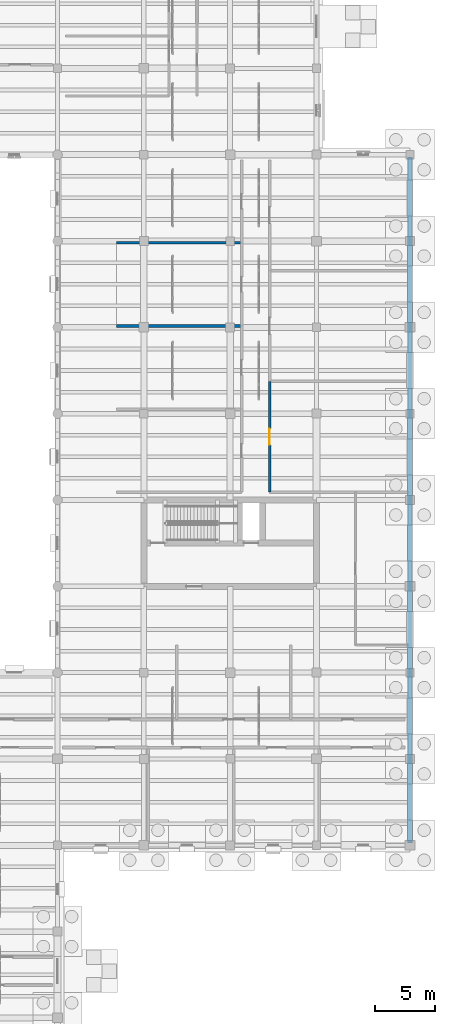
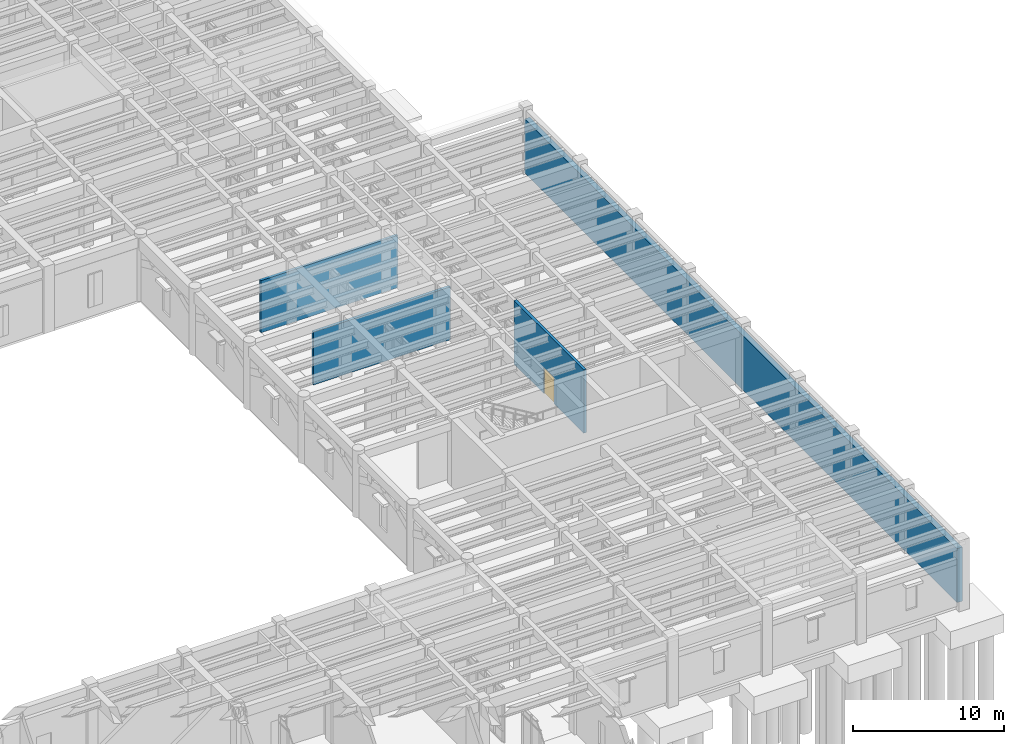
# One storey, part 83 of 100: 4 walls, 1 door, 1 opening.
"""IFC4 building model written with IfcOpenShell, lengths in metres."""

from ifc_helpers import new_model, si_unit, direction, frame, frame_2d, origin, place, context, subcontext, project, spatial, rectangle, extrude, material, layer, layer_set, type_object, element, fill, save


model = new_model("IFC4")

# Units and contexts
model_context = context("Model", 3, precision=1e-05, world=origin(), true_north=direction((0.0, 1.0)))
body_context = subcontext(model_context, "Body", "Model", "MODEL_VIEW")
ifc_project = project(units=[si_unit("LENGTHUNIT", "METRE"), si_unit("AREAUNIT", "SQUARE_METRE"), si_unit("VOLUMEUNIT", "CUBIC_METRE"), si_unit("PLANEANGLEUNIT", "RADIAN"), si_unit("MASSUNIT", "GRAM", prefix="KILO")], contexts=[model_context])

# Site, building, storey
site_placement = place(None, origin())
site = spatial("IfcSite", under=ifc_project, at=site_placement, CompositionType="ELEMENT")
building_placement = place(site_placement, origin())
building = spatial("IfcBuilding", under=site, at=building_placement, Name="Mithqara Police Headquarters", CompositionType="ELEMENT")
storey_placement = place(building_placement, origin())
storey = spatial("IfcBuildingStorey", under=building, at=storey_placement, Name="L00", CompositionType="ELEMENT", Elevation=0.0)

# Walls
ifc_material_1 = material(Name="Concrete C40/50", Category="concrete")
ifc_layer_1 = layer(ifc_material_1, 0.2099609375, Name="Concrete C40/50")
ifc_layer_set_1 = layer_set([ifc_layer_1], Name="Concrete C40/50")
wall_type_1 = type_object("IfcWallType", Name="PART WALL 210", PredefinedType="PARTITIONING", material=ifc_layer_set_1)
wall_1_placement = place(storey_placement, frame((149.5, 64.31494140625, 0.0), z_axis=(0.0, 0.0, 1.0), x_axis=(1.0, 0.0, 0.0)))
element("IfcWall", 1, at=wall_1_placement, inside=storey, type_object=wall_type_1, Name="L00 Room Partition Chain of Custody Vault", PredefinedType="PARTITIONING", context=body_context, shape_type="SweptSolid", body=[
    extrude(rectangle(XDim=10.449951171875, YDim=0.2099609375, at=frame_2d((5.22509765625, 0.0))), origin(), (0.0, 0.0, 1.0), 4.27001953125),
])
wall_2_placement = place(storey_placement, frame((149.5, 71.248046875, 0.0), z_axis=(0.0, 0.0, 1.0), x_axis=(1.0, 0.0, 0.0)))
element("IfcWall", 2, at=wall_2_placement, inside=storey, type_object=wall_type_1, Name="L00 Room Partition Crime Scene Kit Preparation Room", PredefinedType="PARTITIONING", context=body_context, shape_type="SweptSolid", body=[
    extrude(rectangle(XDim=10.449951171875, YDim=0.2099609375, at=frame_2d((5.22509765625, 0.0))), origin(), (0.0, 0.0, 1.0), 4.219970703125),
])

# Wall, opening, door
wall_3_placement = place(storey_placement, frame((162.2900390625, 50.449951171875, 0.0), z_axis=(0.0, 0.0, 1.0), x_axis=(0.0, 1.0, 0.0)))
wall_3 = element("IfcWall", 3, at=wall_3_placement, inside=storey, type_object=wall_type_1, Name="L00 Corridor Wall Forensic Evidence Intake", PredefinedType="PARTITIONING", context=body_context, shape_type="SweptSolid", body=[
    extrude(rectangle(XDim=9.2431640625, YDim=0.2099609375, at=frame_2d((4.62158203125, 0.0))), origin(), (0.0, 0.0, 1.0), 5.1201171875),
])
opening_placement = place(wall_3_placement, frame((3.94140625, 0.0, 0.0)))
opening = element("IfcOpeningElement", 4, at=opening_placement, cuts=wall_3, Name="Opening D-16", PredefinedType="OPENING", context=body_context, shape_type="SweptSolid", body=[
    extrude(rectangle(XDim=1.360107421875, YDim=2.10009765625, at=frame_2d((0.68017578125, 1.050048828125))), frame((0.0, 0.114990234375, 0.0), z_axis=(0.0, -1.0, 0.0), x_axis=(1.0, 0.0, 0.0)), (0.0, 0.0, 1.0), 0.22998046875),
])
ifc_material_2 = material(Name="Bronze anodised aluminium 6063-T6", Category="aluminium")
door_type = type_object("IfcDoorType", Name="INT DOOR 1360X2100", OperationType="NOTDEFINED", PredefinedType="DOOR", material=ifc_material_2)
door_placement = place(opening_placement, origin())
door = element("IfcDoor", 5, at=door_placement, inside=storey, type_object=door_type, Name="Forensic Evidence Intake Entry Door", OperationType="SINGLE_SWING_LEFT", OverallHeight=2.10009765625, OverallWidth=1.360107421875, PredefinedType="DOOR", context=body_context, shape_type="SweptSolid", body=[
    extrude(rectangle(XDim=1.360107421875, YDim=2.10009765625, at=frame_2d((0.68017578125, 1.050048828125))), frame((0.0, 0.02490234375, 0.0), z_axis=(0.0, -1.0, 0.0), x_axis=(1.0, 0.0, 0.0)), (0.0, 0.0, 1.0), 0.050048828125),
])
fill(opening, door)

# Wall
ifc_layer_2 = layer(ifc_material_1, 0.39990234375, Name="Concrete C40/50")
ifc_layer_set_2 = layer_set([ifc_layer_2], Name="Concrete C40/50")
wall_type_2 = type_object("IfcWallType", Name="PARTY WALL 400", PredefinedType="SOLIDWALL", material=ifc_layer_set_2)
wall_4_placement = place(storey_placement, frame((174.0, 21.199951171875, 0.0), z_axis=(0.0, 0.0, 1.0), x_axis=(0.0, 1.0, 0.0)))
element("IfcWall", 6, at=wall_4_placement, inside=storey, type_object=wall_type_2, Name="L00 Exterior Wall 5.1", PredefinedType="SOLIDWALL", context=body_context, shape_type="SweptSolid", body=[
    extrude(rectangle(XDim=57.199951171875, YDim=0.39990234375, at=frame_2d((28.60009765625, 0.0))), origin(), (0.0, 0.0, 1.0), 4.3701171875),
])

save(model, "model.ifc")
